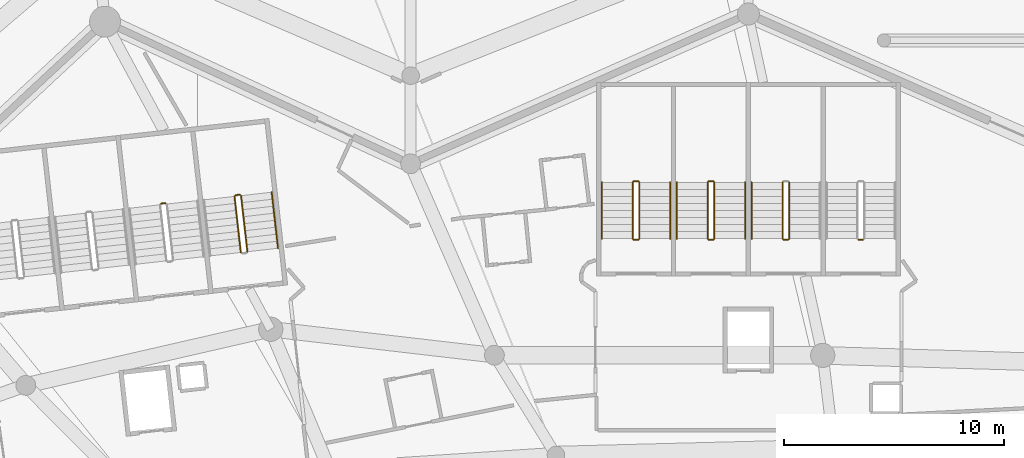
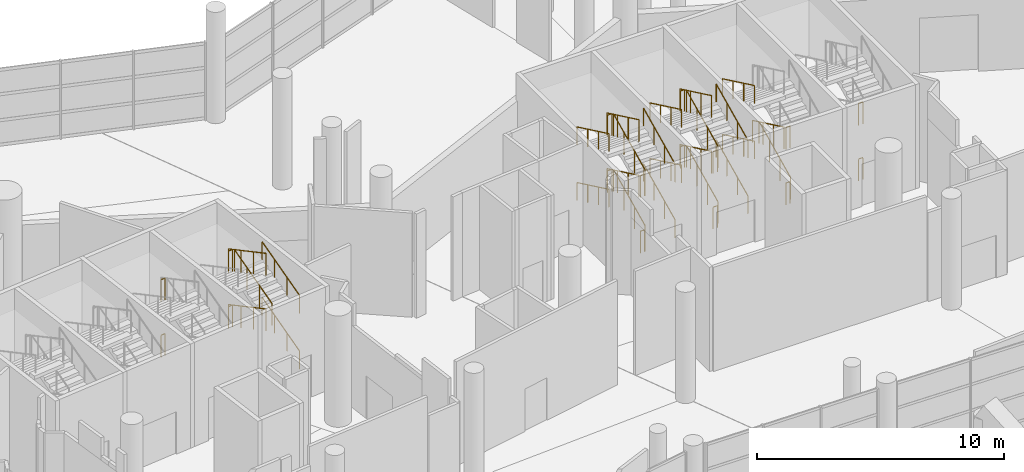
# One storey, part 258 of 271: 41 railings.
"""IFC4 building model written with IfcOpenShell, lengths in metres."""

from ifc_helpers import new_model, si_unit, direction, frame, origin, origin_2d, place, context, subcontext, project, spatial, circle, extrude, material, type_object, element, save


model = new_model("IFC4")

# Units and contexts
model_context = context("Model", 3, precision=1e-05, world=origin(), true_north=direction((0.0, 1.0)))
body_context = subcontext(model_context, "Body", "Model", "MODEL_VIEW")
ifc_project = project(units=[si_unit("LENGTHUNIT", "METRE"), si_unit("AREAUNIT", "SQUARE_METRE"), si_unit("VOLUMEUNIT", "CUBIC_METRE"), si_unit("PLANEANGLEUNIT", "RADIAN"), si_unit("MASSUNIT", "GRAM", prefix="KILO")], contexts=[model_context])

# Site, building, storey
site_placement = place(None, origin())
site = spatial("IfcSite", under=ifc_project, at=site_placement, CompositionType="ELEMENT")
building_placement = place(site_placement, origin())
building = spatial("IfcBuilding", under=site, at=building_placement, Name="Meseta Stadium", CompositionType="ELEMENT")
storey_placement = place(building_placement, frame((0.0, 0.0, 6.5)))
storey = spatial("IfcBuildingStorey", under=building, at=storey_placement, Name="L01", CompositionType="ELEMENT", Elevation=6.5)

# Railings
ifc_material_1 = material(Name="Steel S355", Category="steel")
railing_type_1 = type_object("IfcRailingType", Name="Stair guard 1100", PredefinedType="GUARDRAIL", material=ifc_material_1)
for number, where, name in (
    (1, (-17.800048828125, 95.14990234375, 2.75), "ST41 L01 guard 4"),
    (2, (-17.800048828125, 95.14990234375, 0.0), "ST41 L01 guard 8"),
):
    element("IfcRailing", number, at=place(storey_placement, frame(where)), inside=storey, type_object=railing_type_1, Name=name, PredefinedType="GUARDRAIL", context=body_context, shape_type="SweptSolid", body=[
        extrude(circle(Radius=0.02392578125, at=origin_2d()), frame((0.0, 0.0, 1.076171875), z_axis=(-1.0, 0.0, 0.0), x_axis=(0.0, -1.0, 0.0)), (0.0, 0.0, 1.0), 0.199951171875),
        extrude(circle(Radius=0.02099609375, at=origin_2d()), origin(), (0.0, 0.0, 1.0), 1.052001953125),
        extrude(circle(Radius=0.02099609375, at=origin_2d()), frame((-0.199951171875, 0.0, 0.0)), (0.0, 0.0, 1.0), 1.052001953125),
    ])
railing_1_placement = place(storey_placement, frame((-21.14990234375, 95.199951171875, 0.15283203125)))
element("IfcRailing", 3, at=railing_1_placement, inside=storey, type_object=railing_type_1, Name="ST42 L01 guard 1", PredefinedType="GUARDRAIL", context=body_context, shape_type="SweptSolid", body=[
    extrude(circle(Radius=0.02392578125, at=origin_2d()), frame((0.0, 0.0, 1.076171875), z_axis=(0.0, 0.902436934422, 0.430821981091), x_axis=(-1.0, 0.0, 0.0)), (0.0, 0.0, 1.0), 2.8369140625),
    extrude(circle(Radius=0.02099609375, at=origin_2d()), origin(), (0.0, 0.0, 1.0), 1.052001953125),
    extrude(circle(Radius=0.02099609375, at=origin_2d()), frame((0.0, 0.853271484375, 0.407470703125)), (0.0, 0.0, 1.0), 1.052001953125),
    extrude(circle(Radius=0.02099609375, at=origin_2d()), frame((0.0, 1.706787109375, 0.814697265625)), (0.0, 0.0, 1.0), 1.052001953125),
    extrude(circle(Radius=0.02099609375, at=origin_2d()), frame((0.0, 2.56005859375, 1.22216796875)), (0.0, 0.0, 1.0), 1.052001953125),
])
railing_2_placement = place(storey_placement, frame((-21.449951171875, 97.760009765625, 1.52783203125)))
element("IfcRailing", 4, at=railing_2_placement, inside=storey, type_object=railing_type_1, Name="ST42 L01 guard 3", PredefinedType="GUARDRAIL", context=body_context, shape_type="SweptSolid", body=[
    extrude(circle(Radius=0.02392578125, at=origin_2d()), frame((0.0, 0.0, 1.076171875), z_axis=(0.0, -0.902436934422, 0.430821981091), x_axis=(1.0, 0.0, 0.0)), (0.0, 0.0, 1.0), 2.8369140625),
    extrude(circle(Radius=0.02099609375, at=origin_2d()), origin(), (0.0, 0.0, 1.0), 1.052001953125),
    extrude(circle(Radius=0.02099609375, at=origin_2d()), frame((0.0, -0.853271484375, 0.407470703125)), (0.0, 0.0, 1.0), 1.052001953125),
    extrude(circle(Radius=0.02099609375, at=origin_2d()), frame((0.0, -1.706787109375, 0.814697265625)), (0.0, 0.0, 1.0), 1.052001953125),
    extrude(circle(Radius=0.02099609375, at=origin_2d()), frame((0.0, -2.56005859375, 1.22216796875)), (0.0, 0.0, 1.0), 1.052001953125),
])
for number, where, name in (
    (5, (-21.199951171875, 95.14990234375, 2.75), "ST42 L01 guard 4"),
    (6, (-21.199951171875, 95.14990234375, 0.0), "ST42 L01 guard 8"),
):
    element("IfcRailing", number, at=place(storey_placement, frame(where)), inside=storey, type_object=railing_type_1, Name=name, PredefinedType="GUARDRAIL", context=body_context, shape_type="SweptSolid", body=[
        extrude(circle(Radius=0.02392578125, at=origin_2d()), frame((0.0, 0.0, 1.076171875), z_axis=(-1.0, 0.0, 0.0), x_axis=(0.0, -1.0, 0.0)), (0.0, 0.0, 1.0), 0.199951171875),
        extrude(circle(Radius=0.02099609375, at=origin_2d()), origin(), (0.0, 0.0, 1.0), 1.052001953125),
        extrude(circle(Radius=0.02099609375, at=origin_2d()), frame((-0.199951171875, 0.0, 0.0)), (0.0, 0.0, 1.0), 1.052001953125),
    ])
railing_3_placement = place(storey_placement, frame((-24.550048828125, 95.199951171875, 0.15283203125)))
element("IfcRailing", 7, at=railing_3_placement, inside=storey, type_object=railing_type_1, Name="ST43 L01 guard 1", PredefinedType="GUARDRAIL", context=body_context, shape_type="SweptSolid", body=[
    extrude(circle(Radius=0.02392578125, at=origin_2d()), frame((0.0, 0.0, 1.076171875), z_axis=(0.0, 0.902436934422, 0.430821981091), x_axis=(-1.0, 0.0, 0.0)), (0.0, 0.0, 1.0), 2.8369140625),
    extrude(circle(Radius=0.02099609375, at=origin_2d()), origin(), (0.0, 0.0, 1.0), 1.052001953125),
    extrude(circle(Radius=0.02099609375, at=origin_2d()), frame((0.0, 0.853271484375, 0.407470703125)), (0.0, 0.0, 1.0), 1.052001953125),
    extrude(circle(Radius=0.02099609375, at=origin_2d()), frame((0.0, 1.706787109375, 0.814697265625)), (0.0, 0.0, 1.0), 1.052001953125),
    extrude(circle(Radius=0.02099609375, at=origin_2d()), frame((0.0, 2.56005859375, 1.22216796875)), (0.0, 0.0, 1.0), 1.052001953125),
])
railing_4_placement = place(storey_placement, frame((-24.60009765625, 97.81005859375, 1.375)))
element("IfcRailing", 8, at=railing_4_placement, inside=storey, type_object=railing_type_1, Name="ST43 L01 guard 2", PredefinedType="GUARDRAIL", context=body_context, shape_type="SweptSolid", body=[
    extrude(circle(Radius=0.02392578125, at=origin_2d()), frame((0.0, 0.0, 1.076171875), z_axis=(-1.0, 0.0, 0.0), x_axis=(0.0, -1.0, 0.0)), (0.0, 0.0, 1.0), 0.199951171875),
    extrude(circle(Radius=0.02099609375, at=origin_2d()), origin(), (0.0, 0.0, 1.0), 1.052001953125),
    extrude(circle(Radius=0.02099609375, at=origin_2d()), frame((-0.199951171875, 0.0, 0.0)), (0.0, 0.0, 1.0), 1.052001953125),
])
railing_5_placement = place(storey_placement, frame((-24.85009765625, 97.760009765625, 1.52783203125)))
element("IfcRailing", 9, at=railing_5_placement, inside=storey, type_object=railing_type_1, Name="ST43 L01 guard 3", PredefinedType="GUARDRAIL", context=body_context, shape_type="SweptSolid", body=[
    extrude(circle(Radius=0.02392578125, at=origin_2d()), frame((0.0, 0.0, 1.076171875), z_axis=(0.0, -0.902436934422, 0.430821981091), x_axis=(1.0, 0.0, 0.0)), (0.0, 0.0, 1.0), 2.8369140625),
    extrude(circle(Radius=0.02099609375, at=origin_2d()), origin(), (0.0, 0.0, 1.0), 1.052001953125),
    extrude(circle(Radius=0.02099609375, at=origin_2d()), frame((0.0, -0.853271484375, 0.407470703125)), (0.0, 0.0, 1.0), 1.052001953125),
    extrude(circle(Radius=0.02099609375, at=origin_2d()), frame((0.0, -1.706787109375, 0.814697265625)), (0.0, 0.0, 1.0), 1.052001953125),
    extrude(circle(Radius=0.02099609375, at=origin_2d()), frame((0.0, -2.56005859375, 1.22216796875)), (0.0, 0.0, 1.0), 1.052001953125),
])
railing_6_placement = place(storey_placement, frame((-24.60009765625, 95.14990234375, 2.75)))
element("IfcRailing", 10, at=railing_6_placement, inside=storey, type_object=railing_type_1, Name="ST43 L01 guard 4", PredefinedType="GUARDRAIL", context=body_context, shape_type="SweptSolid", body=[
    extrude(circle(Radius=0.02392578125, at=origin_2d()), frame((0.0, 0.0, 1.076171875), z_axis=(-1.0, 0.0, 0.0), x_axis=(0.0, -1.0, 0.0)), (0.0, 0.0, 1.0), 0.199951171875),
    extrude(circle(Radius=0.02099609375, at=origin_2d()), origin(), (0.0, 0.0, 1.0), 1.052001953125),
    extrude(circle(Radius=0.02099609375, at=origin_2d()), frame((-0.199951171875, 0.0, 0.0)), (0.0, 0.0, 1.0), 1.052001953125),
])
railing_7_placement = place(storey_placement, frame((-24.550048828125, 95.199951171875, 2.90283203125)))
element("IfcRailing", 11, at=railing_7_placement, inside=storey, type_object=railing_type_1, Name="ST43 L01 guard 5", PredefinedType="GUARDRAIL", context=body_context, shape_type="SweptSolid", body=[
    extrude(circle(Radius=0.02392578125, at=origin_2d()), frame((0.0, 0.0, 1.076171875), z_axis=(0.0, 0.902436934422, 0.430821981091), x_axis=(-1.0, 0.0, 0.0)), (0.0, 0.0, 1.0), 2.8369140625),
    extrude(circle(Radius=0.02099609375, at=origin_2d()), origin(), (0.0, 0.0, 1.0), 1.052001953125),
    extrude(circle(Radius=0.02099609375, at=origin_2d()), frame((0.0, 0.853271484375, 0.407470703125)), (0.0, 0.0, 1.0), 1.052001953125),
    extrude(circle(Radius=0.02099609375, at=origin_2d()), frame((0.0, 1.706787109375, 0.814697265625)), (0.0, 0.0, 1.0), 1.052001953125),
    extrude(circle(Radius=0.02099609375, at=origin_2d()), frame((0.0, 2.56005859375, 1.22216796875)), (0.0, 0.0, 1.0), 1.052001953125),
])
railing_8_placement = place(storey_placement, frame((-24.60009765625, 97.81005859375, 4.125)))
element("IfcRailing", 12, at=railing_8_placement, inside=storey, type_object=railing_type_1, Name="ST43 L01 guard 6", PredefinedType="GUARDRAIL", context=body_context, shape_type="SweptSolid", body=[
    extrude(circle(Radius=0.02392578125, at=origin_2d()), frame((0.0, 0.0, 1.076171875), z_axis=(-1.0, 0.0, 0.0), x_axis=(0.0, -1.0, 0.0)), (0.0, 0.0, 1.0), 0.199951171875),
    extrude(circle(Radius=0.02099609375, at=origin_2d()), origin(), (0.0, 0.0, 1.0), 1.052001953125),
    extrude(circle(Radius=0.02099609375, at=origin_2d()), frame((-0.199951171875, 0.0, 0.0)), (0.0, 0.0, 1.0), 1.052001953125),
])
railing_9_placement = place(storey_placement, frame((-24.85009765625, 97.760009765625, 4.27783203125)))
element("IfcRailing", 13, at=railing_9_placement, inside=storey, type_object=railing_type_1, Name="ST43 L01 guard 7", PredefinedType="GUARDRAIL", context=body_context, shape_type="SweptSolid", body=[
    extrude(circle(Radius=0.02392578125, at=origin_2d()), frame((0.0, 0.0, 1.076171875), z_axis=(0.0, -0.902436934422, 0.430821981091), x_axis=(1.0, 0.0, 0.0)), (0.0, 0.0, 1.0), 2.8369140625),
    extrude(circle(Radius=0.02099609375, at=origin_2d()), origin(), (0.0, 0.0, 1.0), 1.052001953125),
    extrude(circle(Radius=0.02099609375, at=origin_2d()), frame((0.0, -0.853271484375, 0.407470703125)), (0.0, 0.0, 1.0), 1.052001953125),
    extrude(circle(Radius=0.02099609375, at=origin_2d()), frame((0.0, -1.706787109375, 0.814697265625)), (0.0, 0.0, 1.0), 1.052001953125),
    extrude(circle(Radius=0.02099609375, at=origin_2d()), frame((0.0, -2.56005859375, 1.22216796875)), (0.0, 0.0, 1.0), 1.052001953125),
])
railing_10_placement = place(storey_placement, frame((-24.60009765625, 95.14990234375, 0.0)))
element("IfcRailing", 14, at=railing_10_placement, inside=storey, type_object=railing_type_1, Name="ST43 L01 guard 8", PredefinedType="GUARDRAIL", context=body_context, shape_type="SweptSolid", body=[
    extrude(circle(Radius=0.02392578125, at=origin_2d()), frame((0.0, 0.0, 1.076171875), z_axis=(-1.0, 0.0, 0.0), x_axis=(0.0, -1.0, 0.0)), (0.0, 0.0, 1.0), 0.199951171875),
    extrude(circle(Radius=0.02099609375, at=origin_2d()), origin(), (0.0, 0.0, 1.0), 1.052001953125),
    extrude(circle(Radius=0.02099609375, at=origin_2d()), frame((-0.199951171875, 0.0, 0.0)), (0.0, 0.0, 1.0), 1.052001953125),
])
railing_11_placement = place(storey_placement, frame((-27.949951171875, 95.199951171875, 0.15283203125)))
element("IfcRailing", 15, at=railing_11_placement, inside=storey, type_object=railing_type_1, Name="ST44 L01 guard 1", PredefinedType="GUARDRAIL", context=body_context, shape_type="SweptSolid", body=[
    extrude(circle(Radius=0.02392578125, at=origin_2d()), frame((0.0, 0.0, 1.076171875), z_axis=(0.0, 0.902436934422, 0.430821981091), x_axis=(-1.0, 0.0, 0.0)), (0.0, 0.0, 1.0), 2.8369140625),
    extrude(circle(Radius=0.02099609375, at=origin_2d()), origin(), (0.0, 0.0, 1.0), 1.052001953125),
    extrude(circle(Radius=0.02099609375, at=origin_2d()), frame((0.0, 0.853271484375, 0.407470703125)), (0.0, 0.0, 1.0), 1.052001953125),
    extrude(circle(Radius=0.02099609375, at=origin_2d()), frame((0.0, 1.706787109375, 0.814697265625)), (0.0, 0.0, 1.0), 1.052001953125),
    extrude(circle(Radius=0.02099609375, at=origin_2d()), frame((0.0, 2.56005859375, 1.22216796875)), (0.0, 0.0, 1.0), 1.052001953125),
])
railing_12_placement = place(storey_placement, frame((-28.0, 97.81005859375, 1.375)))
element("IfcRailing", 16, at=railing_12_placement, inside=storey, type_object=railing_type_1, Name="ST44 L01 guard 2", PredefinedType="GUARDRAIL", context=body_context, shape_type="SweptSolid", body=[
    extrude(circle(Radius=0.02392578125, at=origin_2d()), frame((0.0, 0.0, 1.076171875), z_axis=(-1.0, 0.0, 0.0), x_axis=(0.0, -1.0, 0.0)), (0.0, 0.0, 1.0), 0.199951171875),
    extrude(circle(Radius=0.02099609375, at=origin_2d()), origin(), (0.0, 0.0, 1.0), 1.052001953125),
    extrude(circle(Radius=0.02099609375, at=origin_2d()), frame((-0.199951171875, 0.0, 0.0)), (0.0, 0.0, 1.0), 1.052001953125),
])
railing_13_placement = place(storey_placement, frame((-28.25, 97.760009765625, 1.52783203125)))
element("IfcRailing", 17, at=railing_13_placement, inside=storey, type_object=railing_type_1, Name="ST44 L01 guard 3", PredefinedType="GUARDRAIL", context=body_context, shape_type="SweptSolid", body=[
    extrude(circle(Radius=0.02392578125, at=origin_2d()), frame((0.0, 0.0, 1.076171875), z_axis=(0.0, -0.902436934422, 0.430821981091), x_axis=(1.0, 0.0, 0.0)), (0.0, 0.0, 1.0), 2.8369140625),
    extrude(circle(Radius=0.02099609375, at=origin_2d()), origin(), (0.0, 0.0, 1.0), 1.052001953125),
    extrude(circle(Radius=0.02099609375, at=origin_2d()), frame((0.0, -0.853271484375, 0.407470703125)), (0.0, 0.0, 1.0), 1.052001953125),
    extrude(circle(Radius=0.02099609375, at=origin_2d()), frame((0.0, -1.706787109375, 0.814697265625)), (0.0, 0.0, 1.0), 1.052001953125),
    extrude(circle(Radius=0.02099609375, at=origin_2d()), frame((0.0, -2.56005859375, 1.22216796875)), (0.0, 0.0, 1.0), 1.052001953125),
])
railing_14_placement = place(storey_placement, frame((-28.0, 95.14990234375, 2.75)))
element("IfcRailing", 18, at=railing_14_placement, inside=storey, type_object=railing_type_1, Name="ST44 L01 guard 4", PredefinedType="GUARDRAIL", context=body_context, shape_type="SweptSolid", body=[
    extrude(circle(Radius=0.02392578125, at=origin_2d()), frame((0.0, 0.0, 1.076171875), z_axis=(-1.0, 0.0, 0.0), x_axis=(0.0, -1.0, 0.0)), (0.0, 0.0, 1.0), 0.199951171875),
    extrude(circle(Radius=0.02099609375, at=origin_2d()), origin(), (0.0, 0.0, 1.0), 1.052001953125),
    extrude(circle(Radius=0.02099609375, at=origin_2d()), frame((-0.199951171875, 0.0, 0.0)), (0.0, 0.0, 1.0), 1.052001953125),
])
railing_15_placement = place(storey_placement, frame((-27.949951171875, 95.199951171875, 2.90283203125)))
element("IfcRailing", 19, at=railing_15_placement, inside=storey, type_object=railing_type_1, Name="ST44 L01 guard 5", PredefinedType="GUARDRAIL", context=body_context, shape_type="SweptSolid", body=[
    extrude(circle(Radius=0.02392578125, at=origin_2d()), frame((0.0, 0.0, 1.076171875), z_axis=(0.0, 0.902436934422, 0.430821981091), x_axis=(-1.0, 0.0, 0.0)), (0.0, 0.0, 1.0), 2.8369140625),
    extrude(circle(Radius=0.02099609375, at=origin_2d()), origin(), (0.0, 0.0, 1.0), 1.052001953125),
    extrude(circle(Radius=0.02099609375, at=origin_2d()), frame((0.0, 0.853271484375, 0.407470703125)), (0.0, 0.0, 1.0), 1.052001953125),
    extrude(circle(Radius=0.02099609375, at=origin_2d()), frame((0.0, 1.706787109375, 0.814697265625)), (0.0, 0.0, 1.0), 1.052001953125),
    extrude(circle(Radius=0.02099609375, at=origin_2d()), frame((0.0, 2.56005859375, 1.22216796875)), (0.0, 0.0, 1.0), 1.052001953125),
])
railing_16_placement = place(storey_placement, frame((-28.0, 97.81005859375, 4.125)))
element("IfcRailing", 20, at=railing_16_placement, inside=storey, type_object=railing_type_1, Name="ST44 L01 guard 6", PredefinedType="GUARDRAIL", context=body_context, shape_type="SweptSolid", body=[
    extrude(circle(Radius=0.02392578125, at=origin_2d()), frame((0.0, 0.0, 1.076171875), z_axis=(-1.0, 0.0, 0.0), x_axis=(0.0, -1.0, 0.0)), (0.0, 0.0, 1.0), 0.199951171875),
    extrude(circle(Radius=0.02099609375, at=origin_2d()), origin(), (0.0, 0.0, 1.0), 1.052001953125),
    extrude(circle(Radius=0.02099609375, at=origin_2d()), frame((-0.199951171875, 0.0, 0.0)), (0.0, 0.0, 1.0), 1.052001953125),
])
railing_17_placement = place(storey_placement, frame((-28.25, 97.760009765625, 4.27783203125)))
element("IfcRailing", 21, at=railing_17_placement, inside=storey, type_object=railing_type_1, Name="ST44 L01 guard 7", PredefinedType="GUARDRAIL", context=body_context, shape_type="SweptSolid", body=[
    extrude(circle(Radius=0.02392578125, at=origin_2d()), frame((0.0, 0.0, 1.076171875), z_axis=(0.0, -0.902436934422, 0.430821981091), x_axis=(1.0, 0.0, 0.0)), (0.0, 0.0, 1.0), 2.8369140625),
    extrude(circle(Radius=0.02099609375, at=origin_2d()), origin(), (0.0, 0.0, 1.0), 1.052001953125),
    extrude(circle(Radius=0.02099609375, at=origin_2d()), frame((0.0, -0.853271484375, 0.407470703125)), (0.0, 0.0, 1.0), 1.052001953125),
    extrude(circle(Radius=0.02099609375, at=origin_2d()), frame((0.0, -1.706787109375, 0.814697265625)), (0.0, 0.0, 1.0), 1.052001953125),
    extrude(circle(Radius=0.02099609375, at=origin_2d()), frame((0.0, -2.56005859375, 1.22216796875)), (0.0, 0.0, 1.0), 1.052001953125),
])
railing_18_placement = place(storey_placement, frame((-28.0, 95.14990234375, 0.0)))
element("IfcRailing", 22, at=railing_18_placement, inside=storey, type_object=railing_type_1, Name="ST44 L01 guard 8", PredefinedType="GUARDRAIL", context=body_context, shape_type="SweptSolid", body=[
    extrude(circle(Radius=0.02392578125, at=origin_2d()), frame((0.0, 0.0, 1.076171875), z_axis=(-1.0, 0.0, 0.0), x_axis=(0.0, -1.0, 0.0)), (0.0, 0.0, 1.0), 0.199951171875),
    extrude(circle(Radius=0.02099609375, at=origin_2d()), origin(), (0.0, 0.0, 1.0), 1.052001953125),
    extrude(circle(Radius=0.02099609375, at=origin_2d()), frame((-0.199951171875, 0.0, 0.0)), (0.0, 0.0, 1.0), 1.052001953125),
])
railing_19_placement = place(storey_placement, frame((-46.0849609375, 97.197265625, 1.375)))
element("IfcRailing", 23, at=railing_19_placement, inside=storey, type_object=railing_type_1, Name="ST45 L01 guard 2", PredefinedType="GUARDRAIL", context=body_context, shape_type="SweptSolid", body=[
    extrude(circle(Radius=0.02392578125, at=origin_2d()), frame((0.0, 0.0, 1.076171875), z_axis=(-0.993673547442, -0.112307083986, 0.0), x_axis=(0.112307083986, -0.993673547442, 0.0)), (0.0, 0.0, 1.0), 0.199951171875),
    extrude(circle(Radius=0.02099609375, at=origin_2d()), origin(), (0.0, 0.0, 1.0), 1.052001953125),
    extrude(circle(Radius=0.02099609375, at=origin_2d()), frame((-0.19873046875, -0.0224609375, 0.0)), (0.0, 0.0, 1.0), 1.052001953125),
])
railing_20_placement = place(storey_placement, frame((-46.327880859375, 97.11962890625, 1.52783203125)))
element("IfcRailing", 24, at=railing_20_placement, inside=storey, type_object=railing_type_1, Name="ST45 L01 guard 3", PredefinedType="GUARDRAIL", context=body_context, shape_type="SweptSolid", body=[
    extrude(circle(Radius=0.02392578125, at=origin_2d()), frame((0.0, 0.0, 1.076171875), z_axis=(0.101036326981, -0.896761948158, 0.430824406188), x_axis=(0.993712761983, 0.111959576062, 0.0)), (0.0, 0.0, 1.0), 2.8369140625),
    extrude(circle(Radius=0.02099609375, at=origin_2d()), origin(), (0.0, 0.0, 1.0), 1.052001953125),
    extrude(circle(Radius=0.02099609375, at=origin_2d()), frame((0.095458984375, -0.847900390625, 0.407470703125)), (0.0, 0.0, 1.0), 1.052001953125),
    extrude(circle(Radius=0.02099609375, at=origin_2d()), frame((0.191162109375, -1.696044921875, 0.814697265625)), (0.0, 0.0, 1.0), 1.052001953125),
    extrude(circle(Radius=0.02099609375, at=origin_2d()), frame((0.28662109375, -2.5439453125, 1.22216796875)), (0.0, 0.0, 1.0), 1.052001953125),
])
railing_21_placement = place(storey_placement, frame((-45.742919921875, 94.609375, 2.90283203125)))
element("IfcRailing", 25, at=railing_21_placement, inside=storey, type_object=railing_type_1, Name="ST45 L01 guard 5", PredefinedType="GUARDRAIL", context=body_context, shape_type="SweptSolid", body=[
    extrude(circle(Radius=0.02392578125, at=origin_2d()), frame((0.0, 0.0, 1.076171875), z_axis=(-0.101129313555, 0.896737291859, 0.430853909497), x_axis=(-0.993700950062, -0.112064364749, 0.0)), (0.0, 0.0, 1.0), 2.836669921875),
    extrude(circle(Radius=0.02099609375, at=origin_2d()), origin(), (0.0, 0.0, 1.0), 1.052001953125),
    extrude(circle(Radius=0.02099609375, at=origin_2d()), frame((-0.095703125, 0.847900390625, 0.407470703125)), (0.0, 0.0, 1.0), 1.052001953125),
    extrude(circle(Radius=0.02099609375, at=origin_2d()), frame((-0.191162109375, 1.69580078125, 0.814697265625)), (0.0, 0.0, 1.0), 1.052001953125),
    extrude(circle(Radius=0.02099609375, at=origin_2d()), frame((-0.286865234375, 2.543701171875, 1.22216796875)), (0.0, 0.0, 1.0), 1.052001953125),
])
railing_22_placement = place(storey_placement, frame((-46.0849609375, 97.197265625, 4.125)))
element("IfcRailing", 26, at=railing_22_placement, inside=storey, type_object=railing_type_1, Name="ST45 L01 guard 6", PredefinedType="GUARDRAIL", context=body_context, shape_type="SweptSolid", body=[
    extrude(circle(Radius=0.02392578125, at=origin_2d()), frame((0.0, 0.0, 1.076171875), z_axis=(-0.993673547442, -0.112307083986, 0.0), x_axis=(0.112307083986, -0.993673547442, 0.0)), (0.0, 0.0, 1.0), 0.199951171875),
    extrude(circle(Radius=0.02099609375, at=origin_2d()), origin(), (0.0, 0.0, 1.0), 1.052001953125),
    extrude(circle(Radius=0.02099609375, at=origin_2d()), frame((-0.19873046875, -0.0224609375, 0.0)), (0.0, 0.0, 1.0), 1.052001953125),
])
railing_23_placement = place(storey_placement, frame((-46.327880859375, 97.11962890625, 4.27783203125)))
element("IfcRailing", 27, at=railing_23_placement, inside=storey, type_object=railing_type_1, Name="ST45 L01 guard 7", PredefinedType="GUARDRAIL", context=body_context, shape_type="SweptSolid", body=[
    extrude(circle(Radius=0.02392578125, at=origin_2d()), frame((0.0, 0.0, 1.076171875), z_axis=(0.101036326981, -0.896761948158, 0.430824406188), x_axis=(0.993712761983, 0.111959576062, 0.0)), (0.0, 0.0, 1.0), 2.8369140625),
    extrude(circle(Radius=0.02099609375, at=origin_2d()), origin(), (0.0, 0.0, 1.0), 1.052001953125),
    extrude(circle(Radius=0.02099609375, at=origin_2d()), frame((0.095458984375, -0.847900390625, 0.407470703125)), (0.0, 0.0, 1.0), 1.052001953125),
    extrude(circle(Radius=0.02099609375, at=origin_2d()), frame((0.191162109375, -1.696044921875, 0.814697265625)), (0.0, 0.0, 1.0), 1.052001953125),
    extrude(circle(Radius=0.02099609375, at=origin_2d()), frame((0.28662109375, -2.5439453125, 1.22216796875)), (0.0, 0.0, 1.0), 1.052001953125),
])
for number, where, name in (
    (28, (-49.463623046875, 96.816650390625, 1.375), "ST46 L01 guard 2"),
    (29, (-49.463623046875, 96.816650390625, 4.125), "ST46 L01 guard 6"),
):
    element("IfcRailing", number, at=place(storey_placement, frame(where)), inside=storey, type_object=railing_type_1, Name=name, PredefinedType="GUARDRAIL", context=body_context, shape_type="SweptSolid", body=[
        extrude(circle(Radius=0.02392578125, at=origin_2d()), frame((0.0, 0.0, 1.076171875), z_axis=(-0.993673547442, -0.112307083986, 0.0), x_axis=(0.112307083986, -0.993673547442, 0.0)), (0.0, 0.0, 1.0), 0.199951171875),
        extrude(circle(Radius=0.02099609375, at=origin_2d()), origin(), (0.0, 0.0, 1.0), 1.052001953125),
        extrude(circle(Radius=0.02099609375, at=origin_2d()), frame((-0.19873046875, -0.0224609375, 0.0)), (0.0, 0.0, 1.0), 1.052001953125),
    ])
ifc_material_2 = material(Name="Steel S355", Category="steel")
railing_type_2 = type_object("IfcRailingType", Name="Stair handrail 900", PredefinedType="HANDRAIL", material=ifc_material_2)
for number, where, name in (
    (30, (-22.85009765625, 97.760009765625, 1.52783203125), "ST42 L01 handrail 2"),
    (31, (-22.85009765625, 97.760009765625, 4.27783203125), "ST42 L01 handrail 4"),
):
    element("IfcRailing", number, at=place(storey_placement, frame(where)), inside=storey, type_object=railing_type_2, Name=name, PredefinedType="HANDRAIL", context=body_context, shape_type="SweptSolid", body=[
        extrude(circle(Radius=0.02392578125, at=origin_2d()), frame((0.0, 0.0, 0.8759765625), z_axis=(0.0, -0.902436934422, 0.430821981091), x_axis=(1.0, 0.0, 0.0)), (0.0, 0.0, 1.0), 2.8369140625),
        extrude(circle(Radius=0.02099609375, at=origin_2d()), origin(), (0.0, 0.0, 1.0), 0.851806640625),
        extrude(circle(Radius=0.02099609375, at=origin_2d()), frame((0.0, -0.853271484375, 0.407470703125)), (0.0, 0.0, 1.0), 0.851806640625),
        extrude(circle(Radius=0.02099609375, at=origin_2d()), frame((0.0, -1.706787109375, 0.814697265625)), (0.0, 0.0, 1.0), 0.851806640625),
        extrude(circle(Radius=0.02099609375, at=origin_2d()), frame((0.0, -2.56005859375, 1.22216796875)), (0.0, 0.0, 1.0), 0.851806640625),
    ])
railing_24_placement = place(storey_placement, frame((-23.14990234375, 95.199951171875, 0.15283203125)))
element("IfcRailing", 32, at=railing_24_placement, inside=storey, type_object=railing_type_2, Name="ST43 L01 handrail 1", PredefinedType="HANDRAIL", context=body_context, shape_type="SweptSolid", body=[
    extrude(circle(Radius=0.02392578125, at=origin_2d()), frame((0.0, 0.0, 0.8759765625), z_axis=(0.0, 0.902436934422, 0.430821981091), x_axis=(-1.0, 0.0, 0.0)), (0.0, 0.0, 1.0), 2.8369140625),
    extrude(circle(Radius=0.02099609375, at=origin_2d()), origin(), (0.0, 0.0, 1.0), 0.851806640625),
    extrude(circle(Radius=0.02099609375, at=origin_2d()), frame((0.0, 0.853271484375, 0.407470703125)), (0.0, 0.0, 1.0), 0.851806640625),
    extrude(circle(Radius=0.02099609375, at=origin_2d()), frame((0.0, 1.706787109375, 0.814697265625)), (0.0, 0.0, 1.0), 0.851806640625),
    extrude(circle(Radius=0.02099609375, at=origin_2d()), frame((0.0, 2.56005859375, 1.22216796875)), (0.0, 0.0, 1.0), 0.851806640625),
])
railing_25_placement = place(storey_placement, frame((-26.25, 97.760009765625, 1.52783203125)))
element("IfcRailing", 33, at=railing_25_placement, inside=storey, type_object=railing_type_2, Name="ST43 L01 handrail 2", PredefinedType="HANDRAIL", context=body_context, shape_type="SweptSolid", body=[
    extrude(circle(Radius=0.02392578125, at=origin_2d()), frame((0.0, 0.0, 0.8759765625), z_axis=(0.0, -0.902436934422, 0.430821981091), x_axis=(1.0, 0.0, 0.0)), (0.0, 0.0, 1.0), 2.8369140625),
    extrude(circle(Radius=0.02099609375, at=origin_2d()), origin(), (0.0, 0.0, 1.0), 0.851806640625),
    extrude(circle(Radius=0.02099609375, at=origin_2d()), frame((0.0, -0.853271484375, 0.407470703125)), (0.0, 0.0, 1.0), 0.851806640625),
    extrude(circle(Radius=0.02099609375, at=origin_2d()), frame((0.0, -1.706787109375, 0.814697265625)), (0.0, 0.0, 1.0), 0.851806640625),
    extrude(circle(Radius=0.02099609375, at=origin_2d()), frame((0.0, -2.56005859375, 1.22216796875)), (0.0, 0.0, 1.0), 0.851806640625),
])
railing_26_placement = place(storey_placement, frame((-23.14990234375, 95.199951171875, 2.90283203125)))
element("IfcRailing", 34, at=railing_26_placement, inside=storey, type_object=railing_type_2, Name="ST43 L01 handrail 3", PredefinedType="HANDRAIL", context=body_context, shape_type="SweptSolid", body=[
    extrude(circle(Radius=0.02392578125, at=origin_2d()), frame((0.0, 0.0, 0.8759765625), z_axis=(0.0, 0.902436934422, 0.430821981091), x_axis=(-1.0, 0.0, 0.0)), (0.0, 0.0, 1.0), 2.8369140625),
    extrude(circle(Radius=0.02099609375, at=origin_2d()), origin(), (0.0, 0.0, 1.0), 0.851806640625),
    extrude(circle(Radius=0.02099609375, at=origin_2d()), frame((0.0, 0.853271484375, 0.407470703125)), (0.0, 0.0, 1.0), 0.851806640625),
    extrude(circle(Radius=0.02099609375, at=origin_2d()), frame((0.0, 1.706787109375, 0.814697265625)), (0.0, 0.0, 1.0), 0.851806640625),
    extrude(circle(Radius=0.02099609375, at=origin_2d()), frame((0.0, 2.56005859375, 1.22216796875)), (0.0, 0.0, 1.0), 0.851806640625),
])
railing_27_placement = place(storey_placement, frame((-26.25, 97.760009765625, 4.27783203125)))
element("IfcRailing", 35, at=railing_27_placement, inside=storey, type_object=railing_type_2, Name="ST43 L01 handrail 4", PredefinedType="HANDRAIL", context=body_context, shape_type="SweptSolid", body=[
    extrude(circle(Radius=0.02392578125, at=origin_2d()), frame((0.0, 0.0, 0.8759765625), z_axis=(0.0, -0.902436934422, 0.430821981091), x_axis=(1.0, 0.0, 0.0)), (0.0, 0.0, 1.0), 2.8369140625),
    extrude(circle(Radius=0.02099609375, at=origin_2d()), origin(), (0.0, 0.0, 1.0), 0.851806640625),
    extrude(circle(Radius=0.02099609375, at=origin_2d()), frame((0.0, -0.853271484375, 0.407470703125)), (0.0, 0.0, 1.0), 0.851806640625),
    extrude(circle(Radius=0.02099609375, at=origin_2d()), frame((0.0, -1.706787109375, 0.814697265625)), (0.0, 0.0, 1.0), 0.851806640625),
    extrude(circle(Radius=0.02099609375, at=origin_2d()), frame((0.0, -2.56005859375, 1.22216796875)), (0.0, 0.0, 1.0), 0.851806640625),
])
railing_28_placement = place(storey_placement, frame((-26.550048828125, 95.199951171875, 0.15283203125)))
element("IfcRailing", 36, at=railing_28_placement, inside=storey, type_object=railing_type_2, Name="ST44 L01 handrail 1", PredefinedType="HANDRAIL", context=body_context, shape_type="SweptSolid", body=[
    extrude(circle(Radius=0.02392578125, at=origin_2d()), frame((0.0, 0.0, 0.8759765625), z_axis=(0.0, 0.902436934422, 0.430821981091), x_axis=(-1.0, 0.0, 0.0)), (0.0, 0.0, 1.0), 2.8369140625),
    extrude(circle(Radius=0.02099609375, at=origin_2d()), origin(), (0.0, 0.0, 1.0), 0.851806640625),
    extrude(circle(Radius=0.02099609375, at=origin_2d()), frame((0.0, 0.853271484375, 0.407470703125)), (0.0, 0.0, 1.0), 0.851806640625),
    extrude(circle(Radius=0.02099609375, at=origin_2d()), frame((0.0, 1.706787109375, 0.814697265625)), (0.0, 0.0, 1.0), 0.851806640625),
    extrude(circle(Radius=0.02099609375, at=origin_2d()), frame((0.0, 2.56005859375, 1.22216796875)), (0.0, 0.0, 1.0), 0.851806640625),
])
railing_29_placement = place(storey_placement, frame((-29.64990234375, 97.760009765625, 1.52783203125)))
element("IfcRailing", 37, at=railing_29_placement, inside=storey, type_object=railing_type_2, Name="ST44 L01 handrail 2", PredefinedType="HANDRAIL", context=body_context, shape_type="SweptSolid", body=[
    extrude(circle(Radius=0.02392578125, at=origin_2d()), frame((0.0, 0.0, 0.8759765625), z_axis=(0.0, -0.902436934422, 0.430821981091), x_axis=(1.0, 0.0, 0.0)), (0.0, 0.0, 1.0), 2.8369140625),
    extrude(circle(Radius=0.02099609375, at=origin_2d()), origin(), (0.0, 0.0, 1.0), 0.851806640625),
    extrude(circle(Radius=0.02099609375, at=origin_2d()), frame((0.0, -0.853271484375, 0.407470703125)), (0.0, 0.0, 1.0), 0.851806640625),
    extrude(circle(Radius=0.02099609375, at=origin_2d()), frame((0.0, -1.706787109375, 0.814697265625)), (0.0, 0.0, 1.0), 0.851806640625),
    extrude(circle(Radius=0.02099609375, at=origin_2d()), frame((0.0, -2.56005859375, 1.22216796875)), (0.0, 0.0, 1.0), 0.851806640625),
])
railing_30_placement = place(storey_placement, frame((-26.550048828125, 95.199951171875, 2.90283203125)))
element("IfcRailing", 38, at=railing_30_placement, inside=storey, type_object=railing_type_2, Name="ST44 L01 handrail 3", PredefinedType="HANDRAIL", context=body_context, shape_type="SweptSolid", body=[
    extrude(circle(Radius=0.02392578125, at=origin_2d()), frame((0.0, 0.0, 0.8759765625), z_axis=(0.0, 0.902436934422, 0.430821981091), x_axis=(-1.0, 0.0, 0.0)), (0.0, 0.0, 1.0), 2.8369140625),
    extrude(circle(Radius=0.02099609375, at=origin_2d()), origin(), (0.0, 0.0, 1.0), 0.851806640625),
    extrude(circle(Radius=0.02099609375, at=origin_2d()), frame((0.0, 0.853271484375, 0.407470703125)), (0.0, 0.0, 1.0), 0.851806640625),
    extrude(circle(Radius=0.02099609375, at=origin_2d()), frame((0.0, 1.706787109375, 0.814697265625)), (0.0, 0.0, 1.0), 0.851806640625),
    extrude(circle(Radius=0.02099609375, at=origin_2d()), frame((0.0, 2.56005859375, 1.22216796875)), (0.0, 0.0, 1.0), 0.851806640625),
])
railing_31_placement = place(storey_placement, frame((-29.64990234375, 97.760009765625, 4.27783203125)))
element("IfcRailing", 39, at=railing_31_placement, inside=storey, type_object=railing_type_2, Name="ST44 L01 handrail 4", PredefinedType="HANDRAIL", context=body_context, shape_type="SweptSolid", body=[
    extrude(circle(Radius=0.02392578125, at=origin_2d()), frame((0.0, 0.0, 0.8759765625), z_axis=(0.0, -0.902436934422, 0.430821981091), x_axis=(1.0, 0.0, 0.0)), (0.0, 0.0, 1.0), 2.8369140625),
    extrude(circle(Radius=0.02099609375, at=origin_2d()), origin(), (0.0, 0.0, 1.0), 0.851806640625),
    extrude(circle(Radius=0.02099609375, at=origin_2d()), frame((0.0, -0.853271484375, 0.407470703125)), (0.0, 0.0, 1.0), 0.851806640625),
    extrude(circle(Radius=0.02099609375, at=origin_2d()), frame((0.0, -1.706787109375, 0.814697265625)), (0.0, 0.0, 1.0), 0.851806640625),
    extrude(circle(Radius=0.02099609375, at=origin_2d()), frame((0.0, -2.56005859375, 1.22216796875)), (0.0, 0.0, 1.0), 0.851806640625),
])
for number, where, name in (
    (40, (-44.351806640625, 94.76611328125, 0.15283203125), "ST45 L01 handrail 1"),
    (41, (-44.351806640625, 94.76611328125, 2.90283203125), "ST45 L01 handrail 3"),
):
    element("IfcRailing", number, at=place(storey_placement, frame(where)), inside=storey, type_object=railing_type_2, Name=name, PredefinedType="HANDRAIL", context=body_context, shape_type="SweptSolid", body=[
        extrude(circle(Radius=0.02392578125, at=origin_2d()), frame((0.0, 0.0, 0.8759765625), z_axis=(-0.101044125167, 0.896745093794, 0.43085765808), x_axis=(-0.993711566407, -0.111970187058, 0.0)), (0.0, 0.0, 1.0), 2.836669921875),
        extrude(circle(Radius=0.02099609375, at=origin_2d()), origin(), (0.0, 0.0, 1.0), 0.851806640625),
        extrude(circle(Radius=0.02099609375, at=origin_2d()), frame((-0.095458984375, 0.847900390625, 0.407470703125)), (0.0, 0.0, 1.0), 0.851806640625),
        extrude(circle(Radius=0.02099609375, at=origin_2d()), frame((-0.191162109375, 1.69580078125, 0.814697265625)), (0.0, 0.0, 1.0), 0.851806640625),
        extrude(circle(Radius=0.02099609375, at=origin_2d()), frame((-0.28662109375, 2.543701171875, 1.22216796875)), (0.0, 0.0, 1.0), 0.851806640625),
    ])

save(model, "model.ifc")
